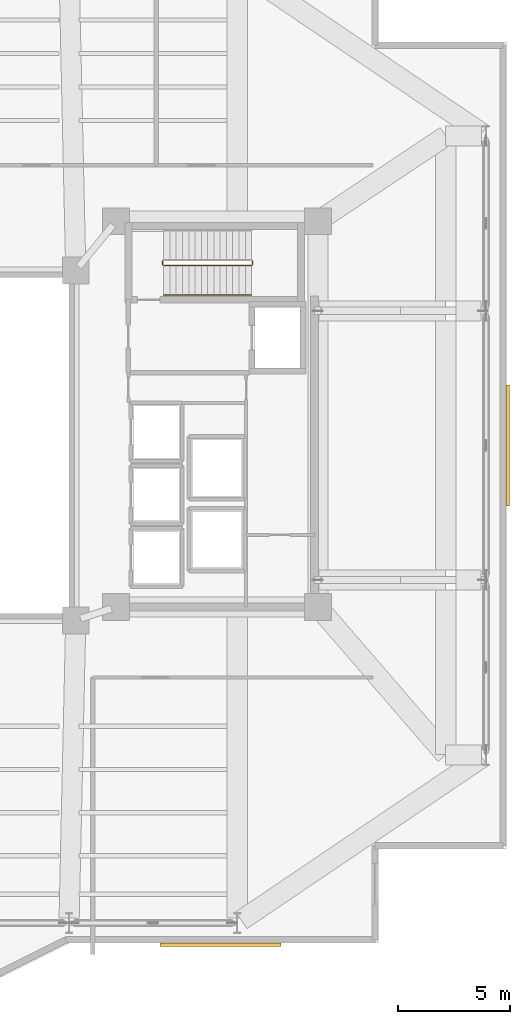
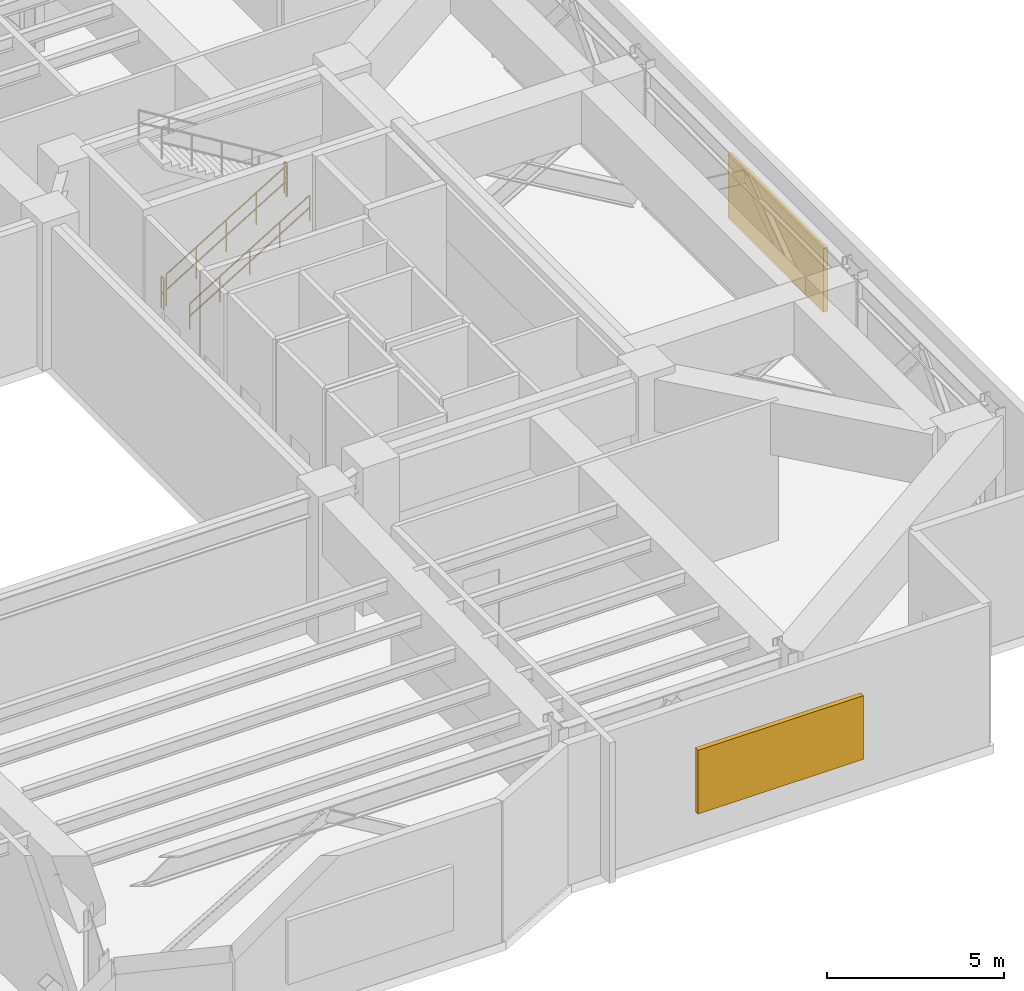
# One storey, part 12 of 13: 4 railings, 2 shading devices.
"""IFC4 building model written with IfcOpenShell, lengths in metres."""

import ifcopenshell
import ifcopenshell.guid

model = None  # the IFC model being written
_history = None  # IfcOwnerHistory: only IFC2X3 demands one
_inside = {}  # id of a spatial element -> (the spatial element, [elements in it])
_under = {}  # id of a project, library or spatial element -> (it, [spatial elements below it])
_declared = {}  # id of a project -> (the project, [libraries it declares])
_typed = {}  # id of a type object -> (the type object, [elements of that type])
_made_of = {}  # id of a material, layer set ... -> (it, [elements and type objects made of it])


def new_model(schema):
    """Start an empty IFC model of exactly this schema.

    Asked for "IFC4X3", IfcOpenShell would pick the latest addendum, in which some entities
    have other attributes; the version numbers below select the first issue.
    IFC2X3 requires an IfcOwnerHistory on every rooted entity: one is made here for all.
    """
    global model, _history
    if schema == "IFC4X3":
        model = ifcopenshell.file(schema_version=(4, 3, 0, 0))
    else:
        model = ifcopenshell.file(schema=schema)
    _inside.clear()
    _under.clear()
    _declared.clear()
    _typed.clear()
    _made_of.clear()
    _history = None
    if model.schema == "IFC2X3":
        org = make("IfcOrganization", Name="unknown")
        user = make(
            "IfcPersonAndOrganization",
            ThePerson=make("IfcPerson", FamilyName="unknown"),
            TheOrganization=org,
        )
        app = make(
            "IfcApplication",
            ApplicationDeveloper=org,
            Version="unknown",
            ApplicationFullName="unknown",
            ApplicationIdentifier="unknown",
        )
        _history = make(
            "IfcOwnerHistory",
            OwningUser=user,
            OwningApplication=app,
            ChangeAction="ADDED",
            CreationDate=0,
        )
    return model


def make(cls, **values):
    """One entity of the class cls with the attributes given. An attribute that is None is left unset."""
    return model.create_entity(
        cls, **{name: value for name, value in values.items() if value is not None}
    )


def rooted(cls, **values):
    """An entity with a GlobalId (a new one), such as an element, a storey or a relation."""
    return make(cls, GlobalId=ifcopenshell.guid.new(), OwnerHistory=_history, **values)


def si_unit(unit_type, name, prefix=None):
    """IfcSIUnit, for example si_unit("LENGTHUNIT", "METRE", prefix="MILLI")."""
    return make("IfcSIUnit", UnitType=unit_type, Prefix=prefix, Name=name)


def assignment(units):
    """IfcUnitAssignment: the units of a project."""
    return None if units is None else make("IfcUnitAssignment", Units=units)


def point(xyz):
    """IfcCartesianPoint."""
    return None if xyz is None else make("IfcCartesianPoint", Coordinates=xyz)


def direction(xyz):
    """IfcDirection."""
    return None if xyz is None else make("IfcDirection", DirectionRatios=xyz)


def frame(location, z_axis=None, x_axis=None):
    """IfcAxis2Placement3D, a coordinate frame: its origin and axes. An axis left out is left unset."""
    return make(
        "IfcAxis2Placement3D",
        Location=point(location),
        Axis=direction(z_axis),
        RefDirection=direction(x_axis),
    )


def frame_2d(location, x_axis=None):
    """IfcAxis2Placement2D, a coordinate frame in the plane: its origin and x axis."""
    return make(
        "IfcAxis2Placement2D", Location=point(location), RefDirection=direction(x_axis)
    )


def origin():
    """The frame at (0, 0, 0) with its axes left unset."""
    return frame((0.0, 0.0, 0.0))


def origin_2d():
    """The frame at (0, 0) in the plane with its x axis left unset."""
    return frame_2d((0.0, 0.0))


def place(relative_to, where):
    """IfcLocalPlacement: puts the frame where relative to a parent placement (None: the world)."""
    return make(
        "IfcLocalPlacement", PlacementRelTo=relative_to, RelativePlacement=where
    )


def context(
    kind, dimensions, precision=None, world=None, true_north=None, identifier=None
):
    """IfcGeometricRepresentationContext, for example the 3D "Model" context."""
    return make(
        "IfcGeometricRepresentationContext",
        ContextIdentifier=identifier,
        ContextType=kind,
        CoordinateSpaceDimension=dimensions,
        Precision=precision,
        WorldCoordinateSystem=world,
        TrueNorth=true_north,
    )


def subcontext(parent, identifier, kind, view, scale=None):
    """IfcGeometricRepresentationSubContext, for example "Body" below "Model"."""
    return make(
        "IfcGeometricRepresentationSubContext",
        ContextIdentifier=identifier,
        ContextType=kind,
        ParentContext=parent,
        TargetScale=scale,
        TargetView=view,
    )


def project(units=None, contexts=None):
    """IfcProject with its units and contexts."""
    return rooted(
        "IfcProject",
        Name="project",
        RepresentationContexts=contexts,
        UnitsInContext=assignment(units),
    )


def spatial(cls, under=None, at=None, **own):
    """A site, building, storey or space (cls), placed at a placement, below another one or the project."""
    s = rooted(cls, ObjectPlacement=at, **own)
    if under is not None:
        _under.setdefault(under.id(), (under, []))[1].append(s)
    return s


def profile(cls, at=None, kind="AREA", **sizes):
    """A parametric profile (cls). Its sizes go by their IFC names, for example OverallWidth=200.0."""
    return make(cls, ProfileType=kind, Position=at, **sizes)


def rectangle(**sizes):
    """IfcRectangleProfileDef."""
    return profile("IfcRectangleProfileDef", **sizes)


def circle(**sizes):
    """IfcCircleProfileDef."""
    return profile("IfcCircleProfileDef", **sizes)


def extrude(swept, where, along, depth):
    """IfcExtrudedAreaSolid: the profile swept, set in the frame where, extruded along a direction by depth."""
    return make(
        "IfcExtrudedAreaSolid",
        SweptArea=swept,
        Position=where,
        ExtrudedDirection=direction(along),
        Depth=depth,
    )


def shape(context_of_items, identifier, shape_type, items):
    """IfcShapeRepresentation: the items that make up one representation, for example the "Body"."""
    return make(
        "IfcShapeRepresentation",
        ContextOfItems=context_of_items,
        RepresentationIdentifier=identifier,
        RepresentationType=shape_type,
        Items=items,
    )


def material(Name=None, Category=None):
    """IfcMaterial."""
    return make("IfcMaterial", Name=Name, Category=Category)


def layer(
    of_material, thickness, ventilated=None, Name=None, Category=None, Priority=None
):
    """IfcMaterialLayer: one layer of a wall or slab, of a material (None: an air gap)."""
    return make(
        "IfcMaterialLayer",
        Material=of_material,
        LayerThickness=thickness,
        IsVentilated=ventilated,
        Name=Name,
        Category=Category,
        Priority=Priority,
    )


def layer_set(layers, Name=None):
    """IfcMaterialLayerSet."""
    return make("IfcMaterialLayerSet", MaterialLayers=layers, LayerSetName=Name)


def made_of(thing, what):
    """Note that an element or type object is made of a material, layer set ...; save() writes the relation."""
    if what is not None:
        _made_of.setdefault(what.id(), (what, []))[1].append(thing)
    return thing


def type_object(cls, material=None, **own):
    """A type object (cls), such as IfcWallType, which elements share."""
    return made_of(rooted(cls, **own), material)


def element(
    cls,
    number,
    at=None,
    inside=None,
    cuts=None,
    type_object=None,
    material=None,
    context=None,
    identifier="Body",
    shape_type=None,
    held_by="IfcProductDefinitionShape",
    body=None,
    shapes=None,
    **own,
):
    """One element of the class cls, such as IfcWall. Its Tag is "e" and its number.

    at: its placement. inside: the storey or other place that contains it. cuts: it is an
    opening in that element (IfcRelVoidsElement). A single representation is given by context,
    identifier, shape_type and body (its items); several are given by shapes. held_by: the class
    of the entity that holds the representations. save() writes the other relations.
    """
    e = rooted(cls, Tag="e%d" % number, ObjectPlacement=at, **own)
    if body is not None:
        shapes = [shape(context, identifier, shape_type, body)]
    if shapes is not None:
        e.Representation = make(held_by, Representations=shapes)
    if inside is not None:
        _inside.setdefault(inside.id(), (inside, []))[1].append(e)
    if cuts is not None:
        rooted(
            "IfcRelVoidsElement", RelatingBuildingElement=cuts, RelatedOpeningElement=e
        )
    if type_object is not None:
        _typed.setdefault(type_object.id(), (type_object, []))[1].append(e)
    return made_of(e, material)


def aggregate(whole, parts):
    """IfcRelAggregates: a whole, such as a stair, and the parts it consists of."""
    return rooted("IfcRelAggregates", RelatingObject=whole, RelatedObjects=parts)


def save(model, path):
    """Write the relations noted so far, then the file.

    IfcRelAggregates (storeys below a building ...), IfcRelContainedInSpatialStructure (elements
    in a storey), IfcRelDefinesByType, IfcRelAssociatesMaterial and IfcRelDeclares: one each for
    every whole, place, type object, material and project.
    """
    for whole, parts in _under.values():
        aggregate(whole, parts)
    for where, things in _inside.values():
        rooted(
            "IfcRelContainedInSpatialStructure",
            RelatedElements=things,
            RelatingStructure=where,
        )
    for kind, things in _typed.values():
        rooted("IfcRelDefinesByType", RelatedObjects=things, RelatingType=kind)
    for what, things in _made_of.values():
        rooted("IfcRelAssociatesMaterial", RelatedObjects=things, RelatingMaterial=what)
    for by, libraries in _declared.values():
        rooted("IfcRelDeclares", RelatingContext=by, RelatedDefinitions=libraries)
    model.write(path)


model = new_model("IFC4")

# Units and contexts
model_context = context("Model", 3, precision=1e-05, world=origin(), true_north=direction((0.0, 1.0)))
body_context = subcontext(model_context, "Body", "Model", "MODEL_VIEW")
ifc_project = project(units=[si_unit("LENGTHUNIT", "METRE"), si_unit("AREAUNIT", "SQUARE_METRE"), si_unit("VOLUMEUNIT", "CUBIC_METRE"), si_unit("PLANEANGLEUNIT", "RADIAN"), si_unit("MASSUNIT", "GRAM", prefix="KILO")], contexts=[model_context])

# Site, building, storey
site_placement = place(None, origin())
site = spatial("IfcSite", under=ifc_project, at=site_placement, CompositionType="ELEMENT")
building_placement = place(site_placement, origin())
building = spatial("IfcBuilding", under=site, at=building_placement, Name="Tarnavaz Court Tower", CompositionType="ELEMENT")
storey_placement = place(building_placement, frame((0.0, 0.0, 127.5)))
storey = spatial("IfcBuildingStorey", under=building, at=storey_placement, Name="L34", CompositionType="ELEMENT", Elevation=127.5)

# Railings
ifc_material_1 = material(Name="Brushed Stainless Steel", Category="steel")
railing_type_1 = type_object("IfcRailingType", Name="RL-HANDRAIL-900", PredefinedType="HANDRAIL", material=ifc_material_1)
railing_1_placement = place(storey_placement, frame((11.719970703125, 6.699951171875, 0.169921875)))
element("IfcRailing", 1, at=railing_1_placement, inside=storey, type_object=railing_type_1, Name="L34 ST-E1 stair handrail 1", PredefinedType="HANDRAIL", context=body_context, shape_type="SweptSolid", body=[
    extrude(circle(Radius=0.02392578125, at=origin_2d()), frame((0.0, 0.0, 0.8759765625), z_axis=(0.854770645689, 0.0, 0.519005918337), x_axis=(0.0, 1.0, 0.0)), (0.0, 0.0, 1.0), 4.5859375),
    extrude(circle(Radius=0.02392578125, at=origin_2d()), frame((0.0, 0.0, 0.449951171875), z_axis=(0.854770645689, 0.0, 0.519005918337), x_axis=(0.0, 1.0, 0.0)), (0.0, 0.0, 1.0), 4.5859375),
    extrude(circle(Radius=0.02099609375, at=origin_2d()), origin(), (0.0, 0.0, 1.0), 0.851806640625),
    extrude(circle(Radius=0.02099609375, at=origin_2d()), frame((0.97998046875, 0.0, 0.594970703125)), (0.0, 0.0, 1.0), 0.851806640625),
    extrude(circle(Radius=0.02099609375, at=origin_2d()), frame((1.9599609375, 0.0, 1.18994140625)), (0.0, 0.0, 1.0), 0.851806640625),
    extrude(circle(Radius=0.02099609375, at=origin_2d()), frame((2.93994140625, 0.0, 1.78515625)), (0.0, 0.0, 1.0), 0.851806640625),
    extrude(circle(Radius=0.02099609375, at=origin_2d()), frame((3.919921875, 0.0, 2.380126953125)), (0.0, 0.0, 1.0), 0.851806640625),
])
ifc_material_2 = material(Name="Galvanized Painted Tubular Steel", Category="steel")
railing_type_2 = type_object("IfcRailingType", Name="RL-STGUARD-1120", PredefinedType="GUARDRAIL", material=ifc_material_2)
railing_2_placement = place(storey_placement, frame((11.719970703125, 8.02001953125, 0.169921875)))
element("IfcRailing", 2, at=railing_2_placement, inside=storey, type_object=railing_type_2, Name="L34 ST-E1 stair guard 1", PredefinedType="GUARDRAIL", context=body_context, shape_type="SweptSolid", body=[
    extrude(circle(Radius=0.02392578125, at=origin_2d()), frame((0.0, 0.0, 1.09619140625), z_axis=(0.854770645689, 0.0, 0.519005918337), x_axis=(0.0, 1.0, 0.0)), (0.0, 0.0, 1.0), 4.5859375),
    extrude(circle(Radius=0.02392578125, at=origin_2d()), frame((0.0, 0.0, 0.56005859375), z_axis=(0.854770645689, 0.0, 0.519005918337), x_axis=(0.0, 1.0, 0.0)), (0.0, 0.0, 1.0), 4.5859375),
    extrude(circle(Radius=0.02099609375, at=origin_2d()), origin(), (0.0, 0.0, 1.0), 1.072021484375),
    extrude(circle(Radius=0.02099609375, at=origin_2d()), frame((0.97998046875, 0.0, 0.594970703125)), (0.0, 0.0, 1.0), 1.072021484375),
    extrude(circle(Radius=0.02099609375, at=origin_2d()), frame((1.9599609375, 0.0, 1.18994140625)), (0.0, 0.0, 1.0), 1.072021484375),
    extrude(circle(Radius=0.02099609375, at=origin_2d()), frame((2.93994140625, 0.0, 1.78515625)), (0.0, 0.0, 1.0), 1.072021484375),
    extrude(circle(Radius=0.02099609375, at=origin_2d()), frame((3.919921875, 0.0, 2.380126953125)), (0.0, 0.0, 1.0), 1.072021484375),
])
for number, where, name in (
    (3, (15.68994140625, 8.070068359375, 2.550048828125), "L34 ST-E1 stair guard 2"),
    (4, (11.669921875, 8.070068359375, 0.0), "L34 ST-E1 stair guard 4"),
):
    element("IfcRailing", number, at=place(storey_placement, frame(where)), inside=storey, type_object=railing_type_2, Name=name, PredefinedType="GUARDRAIL", context=body_context, shape_type="SweptSolid", body=[
        extrude(circle(Radius=0.02392578125, at=origin_2d()), frame((0.0, 0.0, 1.09619140625), z_axis=(0.0, 1.0, 0.0), x_axis=(-1.0, 0.0, 0.0)), (0.0, 0.0, 1.0), 0.14990234375),
        extrude(circle(Radius=0.02392578125, at=origin_2d()), frame((0.0, 0.0, 0.56005859375), z_axis=(0.0, 1.0, 0.0), x_axis=(-1.0, 0.0, 0.0)), (0.0, 0.0, 1.0), 0.14990234375),
        extrude(circle(Radius=0.02099609375, at=origin_2d()), origin(), (0.0, 0.0, 1.0), 1.072021484375),
        extrude(circle(Radius=0.02099609375, at=origin_2d()), frame((0.0, 0.14990234375, 0.0)), (0.0, 0.0, 1.0), 1.072021484375),
    ])

# Shading devices
ifc_material_3 = material(Name="Anodised Aluminium 6063-T6 Acoustic Louvre", Category="aluminium")
ifc_layer = layer(ifc_material_3, 0.159912109375)
ifc_layer_set = layer_set([ifc_layer], Name="Anodised Aluminium 6063-T6 Acoustic Louvre")
shading_device_type = type_object("IfcShadingDeviceType", Name="SD-LOUV-200", PredefinedType="JALOUSIE", material=ifc_layer_set)
for number, where, z_axis, x_axis, name in (
    (5, (27.06005859375, 0.0, 1.10009765625), (0.0, 0.0, 1.0), (0.0, -1.0, 0.0), "L34 Plant Sand-Trap Acoustic Louvre 12"),
    (6, (14.25, -22.260009765625, 1.10009765625), (0.0, 0.0, 1.0), (-1.0, 0.0, 0.0), "L34 Plant Sand-Trap Acoustic Louvre 15"),
):
    element("IfcShadingDevice", number, at=place(storey_placement, frame(where, z_axis=z_axis, x_axis=x_axis)), inside=storey, type_object=shading_device_type, Name=name, PredefinedType="JALOUSIE", context=body_context, shape_type="SweptSolid", body=[
        extrude(rectangle(XDim=5.39990234375, YDim=0.159912109375, at=origin_2d()), origin(), (0.0, 0.0, 1.0), 2.199951171875),
    ])

save(model, "model.ifc")
